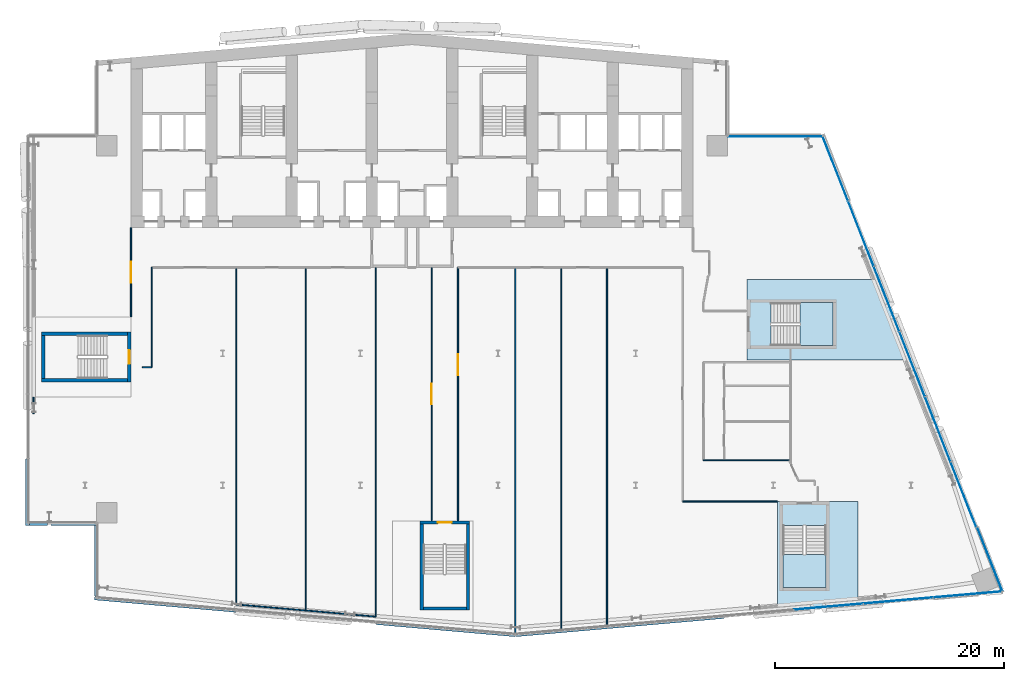
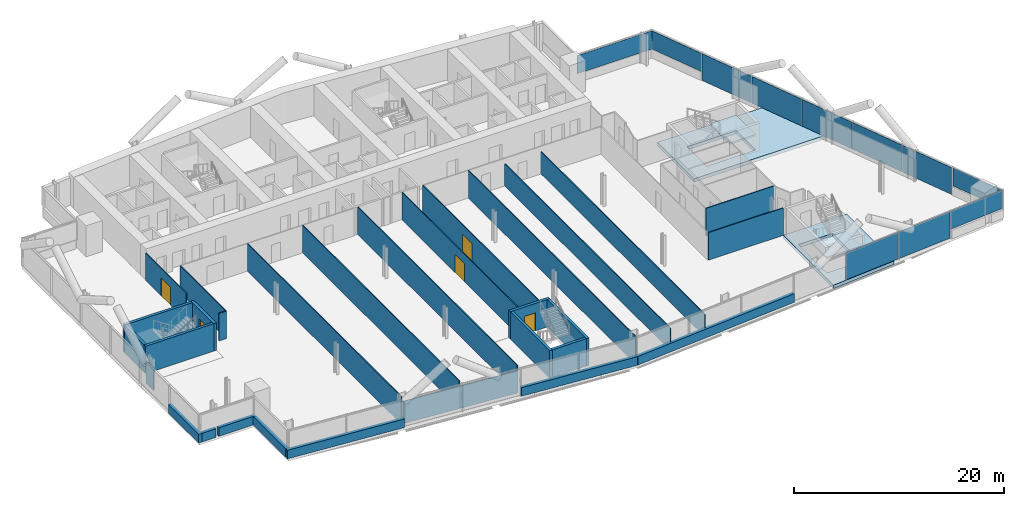
# One storey, part 13 of 25: 31 walls, 11 plates, 5 doors, 4 slabs, 5 openings, 5 elements without a shape of their own.
"""IFC4 building model written with IfcOpenShell, lengths in metres."""

from ifc_helpers import new_model, si_unit, direction, frame, frame_2d, origin, origin_2d, place, context, subcontext, project, spatial, polyline, rectangle, outline, extrude, material, layer, layer_set, type_object, element, fill, aggregate, save


model = new_model("IFC4")

# Units and contexts
model_context = context("Model", 3, precision=1e-05, world=origin(), true_north=direction((0.0, 1.0)))
body_context = subcontext(model_context, "Body", "Model", "MODEL_VIEW")
ifc_project = project(units=[si_unit("LENGTHUNIT", "METRE"), si_unit("AREAUNIT", "SQUARE_METRE"), si_unit("VOLUMEUNIT", "CUBIC_METRE"), si_unit("PLANEANGLEUNIT", "RADIAN"), si_unit("MASSUNIT", "GRAM", prefix="KILO")], contexts=[model_context])

# Site, building, storey
site_placement = place(None, origin())
site = spatial("IfcSite", under=ifc_project, at=site_placement, CompositionType="ELEMENT")
building_placement = place(site_placement, origin())
building = spatial("IfcBuilding", under=site, at=building_placement, Name="Wharfspan Tower", CompositionType="ELEMENT")
storey_placement = place(building_placement, frame((0.0, 0.0, 121.899902)))
storey = spatial("IfcBuildingStorey", under=building, at=storey_placement, Name="L28", CompositionType="ELEMENT", Elevation=121.899902)

# Curtain wall, plate
ifc_material_1 = material(Name="Aluminium 6063-T6", Category="aluminium")
curtain_wall_type_1 = type_object("IfcCurtainWallType", Name="CURTAIN WALL FACETED FRONT", PredefinedType="NOTDEFINED", material=ifc_material_1)
curtain_wall_1_placement = place(storey_placement, origin())
curtain_wall_1 = element("IfcCurtainWall", 1, at=curtain_wall_1_placement, inside=storey, type_object=curtain_wall_type_1, Name="Curtain wall S2", PredefinedType="NOTDEFINED")
ifc_material_2 = material(Name="Glass clear low-iron double glazing", Category="glass")
ifc_layer_1 = layer(ifc_material_2, 0.040039)
ifc_layer_set_1 = layer_set([ifc_layer_1], Name="Glass clear low-iron double glazing")
plate_type_1 = type_object("IfcPlateType", Name="GLASS PANEL FACETED FRONT 40", PredefinedType="CURTAIN_PANEL", material=ifc_layer_set_1)
plate_1_placement = place(storey_placement, frame((88.944092, 1.99292, 1.0), z_axis=(0.0, 0.0, 1.0), x_axis=(0.996198, 0.087156, 0.0)))
plate_1 = element("IfcPlate", 2, at=plate_1_placement, type_object=plate_type_1, Name="Curtain wall S2 panel 7", PredefinedType="CURTAIN_PANEL", context=body_context, shape_type="SweptSolid", body=[
    extrude(rectangle(XDim=6.004639, YDim=0.040039, at=origin_2d()), origin(), (0.0, 0.0, 1.0), 2.120117),
])

# Curtain wall, plates
curtain_wall_type_2 = type_object("IfcCurtainWallType", Name="CURTAIN WALL PROW AND END", PredefinedType="NOTDEFINED", material=ifc_material_1)
curtain_wall_2_placement = place(storey_placement, origin())
curtain_wall_2 = element("IfcCurtainWall", 3, at=curtain_wall_2_placement, inside=storey, type_object=curtain_wall_type_2, Name="Curtain wall E", PredefinedType="NOTDEFINED")
ifc_layer_2 = layer(ifc_material_2, 0.040039)
ifc_layer_set_2 = layer_set([ifc_layer_2], Name="Glass clear low-iron double glazing")
plate_type_2 = type_object("IfcPlateType", Name="GLASS PANEL PROW AND END 40", PredefinedType="CURTAIN_PANEL", material=ifc_layer_set_2)
plate_2_placement = place(storey_placement, frame((90.877197, 5.056885, 1.0), z_axis=(0.0, 0.0, 1.0), x_axis=(-0.365778, 0.930702, 0.0)))
plate_2 = element("IfcPlate", 4, at=plate_2_placement, type_object=plate_type_2, Name="Curtain wall E panel 1", PredefinedType="CURTAIN_PANEL", context=body_context, shape_type="SweptSolid", body=[
    extrude(rectangle(XDim=6.019043, YDim=0.040039, at=origin_2d()), origin(), (0.0, 0.0, 1.0), 2.120117),
])
plate_3_placement = place(storey_placement, frame((77.406494, 39.114014, 1.0), z_axis=(0.0, 0.0, 1.0), x_axis=(-0.365778, 0.930702, 0.0)))
plate_3 = element("IfcPlate", 5, at=plate_3_placement, type_object=plate_type_2, Name="Curtain wall E panel 7", PredefinedType="CURTAIN_PANEL", context=body_context, shape_type="SweptSolid", body=[
    extrude(rectangle(XDim=6.019043, YDim=0.040039, at=origin_2d()), origin(), (0.0, 0.0, 1.0), 2.120117),
])

# Curtain wall, plate
curtain_wall_3_placement = place(storey_placement, origin())
curtain_wall_3 = element("IfcCurtainWall", 6, at=curtain_wall_3_placement, inside=storey, type_object=curtain_wall_type_2, Name="Curtain wall NRE-H", PredefinedType="NOTDEFINED")
plate_4_placement = place(storey_placement, frame((72.178955, 41.919922, 1.0), z_axis=(0.0, 0.0, 1.0), x_axis=(-1.0, 0.0, 0.0)))
plate_4 = element("IfcPlate", 7, at=plate_4_placement, type_object=plate_type_2, Name="Curtain wall NRE-H panel 1", PredefinedType="CURTAIN_PANEL", context=body_context, shape_type="SweptSolid", body=[
    extrude(rectangle(XDim=8.238037, YDim=0.040039, at=origin_2d()), origin(), (0.0, 0.0, 1.0), 2.120117),
])
aggregate(curtain_wall_3, [plate_4])

# Plate
ifc_material_3 = material(Name="Aluminium composite opaque insulated panel", Category="aluminium")
ifc_layer_3 = layer(ifc_material_3, 0.040039)
ifc_layer_set_3 = layer_set([ifc_layer_3], Name="Aluminium composite opaque insulated panel")
plate_type_3 = type_object("IfcPlateType", Name="INFILL PANEL FACETED FRONT OPAQUE 40", PredefinedType="SHEET", material=ifc_layer_set_3)
plate_5_placement = place(storey_placement, frame((76.816162, 0.931885, 0.0), z_axis=(0.0, 0.0, 1.0), x_axis=(0.996198, 0.087156, 0.0)))
plate_5 = element("IfcPlate", 8, at=plate_5_placement, type_object=plate_type_3, Name="Curtain wall S2 panel 5", PredefinedType="SHEET", context=body_context, shape_type="SweptSolid", body=[
    extrude(rectangle(XDim=6.034668, YDim=0.040039, at=origin_2d()), origin(), (0.0, 0.0, 1.0), 3.120117),
])

plate_6_placement = place(storey_placement, frame((82.887695, 1.462891, 0.0), z_axis=(0.0, 0.0, 1.0), x_axis=(0.996198, 0.087156, 0.0)))
plate_6 = element("IfcPlate", 9, at=plate_6_placement, type_object=plate_type_3, Name="Curtain wall S2 panel 6", PredefinedType="SHEET", context=body_context, shape_type="SweptSolid", body=[
    extrude(rectangle(XDim=6.034668, YDim=0.040039, at=origin_2d()), origin(), (0.0, 0.0, 1.0), 3.120117),
])

aggregate(curtain_wall_1, [plate_5, plate_6, plate_1])

ifc_layer_4 = layer(ifc_material_3, 0.040039)
ifc_layer_set_4 = layer_set([ifc_layer_4], Name="Aluminium composite opaque insulated panel")
plate_type_4 = type_object("IfcPlateType", Name="INFILL PANEL PROW AND END OPAQUE 40", PredefinedType="SHEET", material=ifc_layer_set_4)
plate_7_placement = place(storey_placement, frame((88.57373, 10.699219, 0.0), z_axis=(0.0, 0.0, 1.0), x_axis=(-0.365778, 0.930702, 0.0)))
plate_7 = element("IfcPlate", 10, at=plate_7_placement, type_object=plate_type_4, Name="Curtain wall E panel 2", PredefinedType="SHEET", context=body_context, shape_type="SweptSolid", body=[
    extrude(rectangle(XDim=6.049072, YDim=0.040039, at=origin_2d()), origin(), (0.0, 0.0, 1.0), 3.120117),
])

plate_8_placement = place(storey_placement, frame((86.339111, 16.38501, 0.0), z_axis=(0.0, 0.0, 1.0), x_axis=(-0.365778, 0.930702, 0.0)))
plate_8 = element("IfcPlate", 11, at=plate_8_placement, type_object=plate_type_4, Name="Curtain wall E panel 3", PredefinedType="SHEET", context=body_context, shape_type="SweptSolid", body=[
    extrude(rectangle(XDim=6.049072, YDim=0.040039, at=origin_2d()), origin(), (0.0, 0.0, 1.0), 3.120117),
])

plate_9_placement = place(storey_placement, frame((84.104492, 22.070801, 0.0), z_axis=(0.0, 0.0, 1.0), x_axis=(-0.365778, 0.930702, 0.0)))
plate_9 = element("IfcPlate", 12, at=plate_9_placement, type_object=plate_type_4, Name="Curtain wall E panel 4", PredefinedType="SHEET", context=body_context, shape_type="SweptSolid", body=[
    extrude(rectangle(XDim=6.049072, YDim=0.040039, at=origin_2d()), origin(), (0.0, 0.0, 1.0), 3.120117),
])

plate_10_placement = place(storey_placement, frame((81.870117, 27.756348, 0.0), z_axis=(0.0, 0.0, 1.0), x_axis=(-0.365778, 0.930702, 0.0)))
plate_10 = element("IfcPlate", 13, at=plate_10_placement, type_object=plate_type_4, Name="Curtain wall E panel 5", PredefinedType="SHEET", context=body_context, shape_type="SweptSolid", body=[
    extrude(rectangle(XDim=6.049072, YDim=0.040039, at=origin_2d()), origin(), (0.0, 0.0, 1.0), 3.120117),
])

plate_11_placement = place(storey_placement, frame((79.635498, 33.442139, 0.0), z_axis=(0.0, 0.0, 1.0), x_axis=(-0.365778, 0.930702, 0.0)))
plate_11 = element("IfcPlate", 14, at=plate_11_placement, type_object=plate_type_4, Name="Curtain wall E panel 6", PredefinedType="SHEET", context=body_context, shape_type="SweptSolid", body=[
    extrude(rectangle(XDim=6.049072, YDim=0.040039, at=origin_2d()), origin(), (0.0, 0.0, 1.0), 3.120117),
])

aggregate(curtain_wall_2, [plate_2, plate_7, plate_8, plate_9, plate_10, plate_11, plate_3])

# Slabs
ifc_material_4 = material(Name="Concrete C40/50", Category="concrete")
ifc_layer_5 = layer(ifc_material_4, 0.399902)
ifc_layer_set_5 = layer_set([ifc_layer_5], Name="Concrete C40/50")
slab_type_1 = type_object("IfcSlabType", Name="Post-tensioned flat slab 400", PredefinedType="FLOOR", material=ifc_layer_set_5)
slab_1_placement = place(storey_placement, frame((0.0, 0.0, -0.400146)))
element("IfcSlab", 15, at=slab_1_placement, inside=storey, type_object=slab_type_1, Name="Core floor slab L28 part 5", PredefinedType="FLOOR", context=body_context, shape_type="SweptSolid", body=[
    extrude(outline(polyline([(79.365967, 10.094727), (76.891113, 10.094727), (72.541016, 10.094727), (72.365967, 10.094727), (72.365967, 0.482178), (79.365967, 1.094727), (79.365967, 10.094727)]), holes=[polyline([(76.591064, 7.996582), (76.591309, 7.996582), (76.591309, 7.996582), (76.591553, 7.996582), (76.591797, 7.996582), (76.591797, 7.996338), (76.592041, 7.996338), (76.592285, 7.996094), (76.592285, 7.996094), (76.592529, 7.99585), (76.592773, 7.99585), (76.592773, 7.995605), (76.593018, 7.995361), (76.593018, 7.995117), (76.593018, 7.995117), (76.593018, 7.994873), (76.593018, 7.994629), (76.593018, 2.594727), (76.593018, 2.594482), (76.593018, 2.594238), (76.593018, 2.593994), (76.593018, 2.593994), (76.592773, 2.59375), (76.592773, 2.593506), (76.592529, 2.593506), (76.592285, 2.593262), (76.592285, 2.593018), (76.592041, 2.593018), (76.591797, 2.593018), (76.591797, 2.592773), (76.591553, 2.592773), (76.591309, 2.592773), (76.591309, 2.592773), (76.591064, 2.592773), (72.841064, 2.592773), (72.84082, 2.592773), (72.840576, 2.592773), (72.840332, 2.592773), (72.840088, 2.592773), (72.840088, 2.593018), (72.839844, 2.593018), (72.8396, 2.593018), (72.8396, 2.593262), (72.8396, 2.593506), (72.839355, 2.593506), (72.839111, 2.59375), (72.839111, 2.593994), (72.839111, 2.593994), (72.839111, 2.594238), (72.839111, 2.594482), (72.839111, 2.594727), (72.839111, 7.994629), (72.839111, 7.994873), (72.839111, 7.995117), (72.839111, 7.995117), (72.839111, 7.995361), (72.839111, 7.995605), (72.839355, 7.99585), (72.8396, 7.99585), (72.8396, 7.996094), (72.8396, 7.996094), (72.839844, 7.996338), (72.840088, 7.996338), (72.840088, 7.996582), (72.840332, 7.996582), (72.840576, 7.996582), (72.84082, 7.996582), (72.841064, 7.996582), (76.591064, 7.996582)])]), origin(), (0.0, 0.0, 1.0), 0.400146),
])
slab_2_placement = place(storey_placement, frame((0.0, 0.0, -0.400146)))
element("IfcSlab", 16, at=slab_2_placement, inside=storey, type_object=slab_type_1, Name="Core floor slab L28 part 6", PredefinedType="FLOOR", context=body_context, shape_type="SweptSolid", body=[
    extrude(outline(polyline([(81.290283, 29.449951), (69.69043, 29.449951), (69.69043, 27.725098), (69.69043, 23.375), (69.69043, 22.449951), (84.041504, 22.449951), (81.290283, 29.449951)]), holes=[polyline([(71.790283, 23.673096), (71.790283, 23.673096), (71.790039, 23.673096), (71.789795, 23.673096), (71.789551, 23.673096), (71.789551, 23.673096), (71.789307, 23.67334), (71.789062, 23.673584), (71.789062, 23.673584), (71.788818, 23.673584), (71.788818, 23.673828), (71.788574, 23.674072), (71.788574, 23.674316), (71.788574, 23.674316), (71.78833, 23.674561), (71.78833, 23.674805), (71.78833, 23.675049), (71.78833, 27.425049), (71.78833, 27.425293), (71.78833, 27.425293), (71.788574, 27.425537), (71.788574, 27.425781), (71.788574, 27.425781), (71.788818, 27.426025), (71.788818, 27.42627), (71.789062, 27.426514), (71.789062, 27.426514), (71.789307, 27.426758), (71.789551, 27.426758), (71.789551, 27.426758), (71.789795, 27.427002), (71.790039, 27.427002), (71.790283, 27.427002), (71.790283, 27.427002), (77.19043, 27.427002), (77.190674, 27.427002), (77.190918, 27.427002), (77.190918, 27.427002), (77.191162, 27.426758), (77.191406, 27.426758), (77.191406, 27.426758), (77.19165, 27.426514), (77.191895, 27.426514), (77.191895, 27.42627), (77.192139, 27.426025), (77.192139, 27.425781), (77.192139, 27.425781), (77.192383, 27.425537), (77.192383, 27.425293), (77.192383, 27.425293), (77.192383, 27.425049), (77.192383, 23.675049), (77.192383, 23.674805), (77.192383, 23.674561), (77.192383, 23.674316), (77.192139, 23.674316), (77.192139, 23.674072), (77.192139, 23.673828), (77.191895, 23.673584), (77.191895, 23.673584), (77.19165, 23.673584), (77.191406, 23.67334), (77.191406, 23.673096), (77.191162, 23.673096), (77.190918, 23.673096), (77.190918, 23.673096), (77.190674, 23.673096), (77.19043, 23.673096), (71.790283, 23.673096)])]), origin(), (0.0, 0.0, 1.0), 0.400146),
])

# Stair, slab
stair_type = type_object("IfcStairType", Name="Half-turn stair 20 risers 180 mm", PredefinedType="HALF_TURN_STAIR", material=ifc_material_4)
stair_1_placement = place(storey_placement, origin())
stair_1 = element("IfcStair", 17, at=stair_1_placement, inside=storey, type_object=stair_type, Name="L28 stair ST5", PredefinedType="HALF_TURN_STAIR")
ifc_layer_6 = layer(ifc_material_4, 0.199951)
ifc_layer_set_6 = layer_set([ifc_layer_6], Name="Concrete C40/50")
slab_type_2 = type_object("IfcSlabType", Name="Stair landing 200", PredefinedType="LANDING", material=ifc_layer_set_6)
slab_3_placement = place(storey_placement, frame((0.0, 0.0, 1.599854)))
slab_3 = element("IfcSlab", 18, at=slab_3_placement, type_object=slab_type_2, Name="ST5 landing 1", PredefinedType="LANDING", context=body_context, shape_type="SweptSolid", body=[
    extrude(outline(polyline([(72.841064, 5.474609), (72.841064, 2.594727), (76.591064, 2.594727), (76.591064, 5.474609), (72.841064, 5.474609)])), origin(), (0.0, 0.0, 1.0), 0.200195),
])
aggregate(stair_1, [slab_3])

stair_2_placement = place(storey_placement, origin())
stair_2 = element("IfcStair", 19, at=stair_2_placement, inside=storey, type_object=stair_type, Name="L28 stair ST6", PredefinedType="HALF_TURN_STAIR")
slab_4_placement = place(storey_placement, frame((0.0, 0.0, 1.599854)))
slab_4 = element("IfcSlab", 20, at=slab_4_placement, type_object=slab_type_2, Name="ST6 landing 1", PredefinedType="LANDING", context=body_context, shape_type="SweptSolid", body=[
    extrude(outline(polyline([(74.310303, 23.675049), (77.19043, 23.675049), (77.19043, 27.425049), (74.310303, 27.425049), (74.310303, 23.675049)])), origin(), (0.0, 0.0, 1.0), 0.200195),
])
aggregate(stair_2, [slab_4])

# Wall, opening, door
ifc_material_5 = material(Name="Gypsum board on steel studs", Category="steel")
ifc_layer_7 = layer(ifc_material_5, 0.100098)
ifc_layer_set_7 = layer_set([ifc_layer_7], Name="Gypsum board on steel studs")
wall_type_1 = type_object("IfcWallType", Name="Compartment wall 100 EI 60", PredefinedType="PARTITIONING", material=ifc_layer_set_7)
wall_1_placement = place(storey_placement, frame((16.0, 26.219971, 0.0), z_axis=(0.0, 0.0, 1.0), x_axis=(0.0, 1.0, 0.0)))
wall_1 = element("IfcWall", 21, at=wall_1_placement, inside=storey, type_object=wall_type_1, Name="Partition L28.w003", PredefinedType="PARTITIONING", context=body_context, shape_type="SweptSolid", body=[
    extrude(rectangle(XDim=7.76001, YDim=0.100098, at=frame_2d((3.879883, 0.0))), origin(), (0.0, 0.0, 1.0), 3.200195),
])
opening_1_placement = place(wall_1_placement, frame((2.959961, 0.0, 0.0)))
opening_1 = element("IfcOpeningElement", 22, at=opening_1_placement, cuts=wall_1, Name="Opening B4-09", PredefinedType="OPENING", context=body_context, shape_type="SweptSolid", body=[
    extrude(rectangle(XDim=1.800049, YDim=2.100098, at=frame_2d((0.899902, 1.050049))), frame((0.0, 0.060059, 0.0), z_axis=(0.0, -1.0, 0.0), x_axis=(1.0, 0.0, 0.0)), (0.0, 0.0, 1.0), 0.120117),
])
ifc_material_6 = material(Name="Fire-rated timber door leaf in steel frame", Category="steel")
door_type_1 = type_object("IfcDoorType", Name="Door 1800 FD30S Double", OperationType="DOUBLE_DOOR_SINGLE_SWING", PredefinedType="DOOR", material=ifc_material_6)
door_1_placement = place(opening_1_placement, origin())
door_1 = element("IfcDoor", 23, at=door_1_placement, inside=storey, type_object=door_type_1, Name="Door B4-09", OperationType="DOUBLE_DOOR_SINGLE_SWING", OverallHeight=2.100098, OverallWidth=1.800049, PredefinedType="DOOR", context=body_context, shape_type="SweptSolid", body=[
    extrude(rectangle(XDim=1.800049, YDim=2.100098, at=frame_2d((0.899902, 1.050049))), frame((0.0, 0.024902, 0.0), z_axis=(0.0, -1.0, 0.0), x_axis=(1.0, 0.0, 0.0)), (0.0, 0.0, 1.0), 0.050049),
])
fill(opening_1, door_1)

# Walls
wall_2_placement = place(storey_placement, frame((17.0, 21.800049, 0.0), z_axis=(0.0, 0.0, 1.0), x_axis=(1.0, 0.0, 0.0)))
element("IfcWall", 24, at=wall_2_placement, inside=storey, type_object=wall_type_1, Name="Partition L28.w004", PredefinedType="PARTITIONING", context=body_context, shape_type="SweptSolid", body=[
    extrude(rectangle(XDim=0.800049, YDim=0.100098, at=frame_2d((0.399902, 0.0))), origin(), (0.0, 0.0, 1.0), 3.200195),
])
wall_3_placement = place(storey_placement, frame((17.800049, 21.800049, 0.0), z_axis=(0.0, 0.0, 1.0), x_axis=(0.0, 1.0, 0.0)))
element("IfcWall", 25, at=wall_3_placement, inside=storey, type_object=wall_type_1, Name="Partition L28.w005", PredefinedType="PARTITIONING", context=body_context, shape_type="SweptSolid", body=[
    extrude(rectangle(XDim=8.699951, YDim=0.100098, at=frame_2d((4.350098, 0.0))), origin(), (0.0, 0.0, 1.0), 3.200195),
])
wall_4_placement = place(storey_placement, frame((25.169922, 1.120117, 0.0), z_axis=(0.0, 0.0, 1.0), x_axis=(0.0, 1.0, 0.0)))
element("IfcWall", 26, at=wall_4_placement, inside=storey, type_object=wall_type_1, Name="Partition L28.w007", PredefinedType="PARTITIONING", context=body_context, shape_type="SweptSolid", body=[
    extrude(rectangle(XDim=29.379883, YDim=0.100098, at=frame_2d((14.689941, 0.0))), origin(), (0.0, 0.0, 1.0), 3.200195),
])
wall_5_placement = place(storey_placement, frame((31.25, 0.590088, 0.0), z_axis=(0.0, 0.0, 1.0), x_axis=(0.0, 1.0, 0.0)))
element("IfcWall", 27, at=wall_5_placement, inside=storey, type_object=wall_type_1, Name="Partition L28.w009", PredefinedType="PARTITIONING", context=body_context, shape_type="SweptSolid", body=[
    extrude(rectangle(XDim=29.909912, YDim=0.100098, at=frame_2d((14.955078, 0.0))), origin(), (0.0, 0.0, 1.0), 3.200195),
])
wall_6_placement = place(storey_placement, frame((37.334961, 0.054932, 0.0), z_axis=(0.0, 0.0, 1.0), x_axis=(0.0, 1.0, 0.0)))
element("IfcWall", 28, at=wall_6_placement, inside=storey, type_object=wall_type_1, Name="Partition L28.w011", PredefinedType="PARTITIONING", context=body_context, shape_type="SweptSolid", body=[
    extrude(rectangle(XDim=30.445068, YDim=0.100098, at=frame_2d((15.222656, 0.0))), origin(), (0.0, 0.0, 1.0), 3.200195),
])

# Wall, opening, door
wall_7_placement = place(storey_placement, frame((42.209961, 8.437012, 0.0), z_axis=(0.0, 0.0, 1.0), x_axis=(0.0, 1.0, 0.0)))
wall_7 = element("IfcWall", 29, at=wall_7_placement, inside=storey, type_object=wall_type_1, Name="Partition L28.w012", PredefinedType="PARTITIONING", context=body_context, shape_type="SweptSolid", body=[
    extrude(rectangle(XDim=22.062988, YDim=0.100098, at=frame_2d((11.031494, 0.0))), origin(), (0.0, 0.0, 1.0), 3.200195),
])
opening_2_placement = place(wall_7_placement, frame((10.143066, 0.0, 0.0)))
opening_2 = element("IfcOpeningElement", 30, at=opening_2_placement, cuts=wall_7, Name="Opening B4-05", PredefinedType="OPENING", context=body_context, shape_type="SweptSolid", body=[
    extrude(rectangle(XDim=1.800049, YDim=2.100098, at=frame_2d((0.899902, 1.050049))), frame((0.0, 0.060059, 0.0), z_axis=(0.0, -1.0, 0.0), x_axis=(1.0, 0.0, 0.0)), (0.0, 0.0, 1.0), 0.120117),
])
door_2_placement = place(opening_2_placement, origin())
door_2 = element("IfcDoor", 31, at=door_2_placement, inside=storey, type_object=door_type_1, Name="Door B4-05", OperationType="DOUBLE_DOOR_SINGLE_SWING", OverallHeight=2.100098, OverallWidth=1.800049, PredefinedType="DOOR", context=body_context, shape_type="SweptSolid", body=[
    extrude(rectangle(XDim=1.800049, YDim=2.100098, at=frame_2d((0.899902, 1.050049))), frame((0.0, 0.024902, 0.0), z_axis=(0.0, -1.0, 0.0), x_axis=(1.0, 0.0, 0.0)), (0.0, 0.0, 1.0), 0.050049),
])
fill(opening_2, door_2)

wall_8_placement = place(storey_placement, frame((44.51001, 8.437012, 0.0), z_axis=(0.0, 0.0, 1.0), x_axis=(0.0, 1.0, 0.0)))
wall_8 = element("IfcWall", 32, at=wall_8_placement, inside=storey, type_object=wall_type_1, Name="Partition L28.w013", PredefinedType="PARTITIONING", context=body_context, shape_type="SweptSolid", body=[
    extrude(rectangle(XDim=22.062988, YDim=0.100098, at=frame_2d((11.031494, 0.0))), origin(), (0.0, 0.0, 1.0), 3.200195),
])
opening_3_placement = place(wall_8_placement, frame((12.683105, 0.0, 0.0)))
opening_3 = element("IfcOpeningElement", 33, at=opening_3_placement, cuts=wall_8, Name="Opening B4-08", PredefinedType="OPENING", context=body_context, shape_type="SweptSolid", body=[
    extrude(rectangle(XDim=1.800049, YDim=2.100098, at=frame_2d((0.899902, 1.050049))), frame((0.0, 0.060059, 0.0), z_axis=(0.0, -1.0, 0.0), x_axis=(1.0, 0.0, 0.0)), (0.0, 0.0, 1.0), 0.120117),
])
door_3_placement = place(opening_3_placement, origin())
door_3 = element("IfcDoor", 34, at=door_3_placement, inside=storey, type_object=door_type_1, Name="Door B4-08", OperationType="DOUBLE_DOOR_SINGLE_SWING", OverallHeight=2.100098, OverallWidth=1.800049, PredefinedType="DOOR", context=body_context, shape_type="SweptSolid", body=[
    extrude(rectangle(XDim=1.800049, YDim=2.100098, at=frame_2d((0.899902, 1.050049))), frame((0.0, 0.024902, 0.0), z_axis=(0.0, -1.0, 0.0), x_axis=(1.0, 0.0, 0.0)), (0.0, 0.0, 1.0), 0.050049),
])
fill(opening_3, door_3)

# Walls
wall_9_placement = place(storey_placement, frame((49.5, -1.498291, 0.0), z_axis=(0.0, 0.0, 1.0), x_axis=(0.0, 1.0, 0.0)))
element("IfcWall", 35, at=wall_9_placement, inside=storey, type_object=wall_type_1, Name="Partition L28.w015", PredefinedType="PARTITIONING", context=body_context, shape_type="SweptSolid", body=[
    extrude(rectangle(XDim=31.998291, YDim=0.100098, at=frame_2d((15.999023, 0.0))), origin(), (0.0, 0.0, 1.0), 3.200195),
])
wall_10_placement = place(storey_placement, frame((53.5, -1.148193, 0.0), z_axis=(0.0, 0.0, 1.0), x_axis=(0.0, 1.0, 0.0)))
element("IfcWall", 36, at=wall_10_placement, inside=storey, type_object=wall_type_1, Name="Partition L28.w016", PredefinedType="PARTITIONING", context=body_context, shape_type="SweptSolid", body=[
    extrude(rectangle(XDim=31.648193, YDim=0.100098, at=frame_2d((15.824219, 0.0))), origin(), (0.0, 0.0, 1.0), 2.580078),
])
wall_11_placement = place(storey_placement, frame((57.5, -0.79834, 0.0), z_axis=(0.0, 0.0, 1.0), x_axis=(0.0, 1.0, 0.0)))
element("IfcWall", 37, at=wall_11_placement, inside=storey, type_object=wall_type_1, Name="Partition L28.w017", PredefinedType="PARTITIONING", context=body_context, shape_type="SweptSolid", body=[
    extrude(rectangle(XDim=31.29834, YDim=0.100098, at=frame_2d((15.64917, 0.0))), origin(), (0.0, 0.0, 1.0), 2.580078),
])
wall_12_placement = place(storey_placement, frame((64.100098, 10.094971, 0.0), z_axis=(0.0, 0.0, 1.0), x_axis=(1.0, 0.0, 0.0)))
element("IfcWall", 38, at=wall_12_placement, inside=storey, type_object=wall_type_1, Name="Partition L28.w019", PredefinedType="PARTITIONING", context=body_context, shape_type="SweptSolid", body=[
    extrude(rectangle(XDim=8.24585, YDim=0.100098, at=frame_2d((4.123047, 0.0))), origin(), (0.0, 0.0, 1.0), 3.200195),
])
wall_13_placement = place(storey_placement, frame((65.909912, 13.705078, 0.0), z_axis=(0.0, 0.0, 1.0), x_axis=(1.0, 0.0, 0.0)))
element("IfcWall", 39, at=wall_13_placement, inside=storey, type_object=wall_type_1, Name="Partition L28.w026", PredefinedType="PARTITIONING", context=body_context, shape_type="SweptSolid", body=[
    extrude(rectangle(XDim=7.48999, YDim=0.100098, at=frame_2d((3.745117, 0.0))), origin(), (0.0, 0.0, 1.0), 3.200195),
])
ifc_layer_8 = layer(ifc_material_5, 0.100098)
ifc_layer_set_8 = layer_set([ifc_layer_8], Name="Gypsum board on steel studs")
wall_type_2 = type_object("IfcWallType", Name="Partition 100", PredefinedType="PARTITIONING", material=ifc_layer_set_8)
wall_14_placement = place(storey_placement, frame((7.51001, 17.764893, 0.0), z_axis=(0.0, 0.0, 1.0), x_axis=(0.0, 1.0, 0.0)))
element("IfcWall", 40, at=wall_14_placement, inside=storey, type_object=wall_type_2, Name="Partition L28.w001", PredefinedType="PARTITIONING", context=body_context, shape_type="SweptSolid", body=[
    extrude(rectangle(XDim=1.415039, YDim=0.100098, at=frame_2d((0.70752, 0.0))), origin(), (0.0, 0.0, 1.0), 2.580078),
])
wall_15_placement = place(storey_placement, frame((31.25, 0.590088, 0.0), z_axis=(0.0, 0.0, 1.0), x_axis=(-0.996218, 0.086845, 0.0)))
element("IfcWall", 41, at=wall_15_placement, inside=storey, type_object=wall_type_2, Name="Partition L28.w008", PredefinedType="PARTITIONING", context=body_context, shape_type="SweptSolid", body=[
    extrude(rectangle(XDim=6.103027, YDim=0.100098, at=frame_2d((3.051514, 0.0))), origin(), (0.0, 0.0, 1.0), 2.580078),
])
wall_16_placement = place(storey_placement, frame((37.334961, 0.054932, 0.0), z_axis=(0.0, 0.0, 1.0), x_axis=(-0.996095, 0.088253, 0.0)))
element("IfcWall", 42, at=wall_16_placement, inside=storey, type_object=wall_type_2, Name="Partition L28.w010", PredefinedType="PARTITIONING", context=body_context, shape_type="SweptSolid", body=[
    extrude(rectangle(XDim=6.105469, YDim=0.100098, at=frame_2d((3.052734, 0.0))), origin(), (0.0, 0.0, 1.0), 2.580078),
])
ifc_layer_9 = layer(ifc_material_4, 0.350098)
ifc_layer_set_9 = layer_set([ifc_layer_9], Name="Concrete C40/50")
wall_type_3 = type_object("IfcWallType", Name="SPANDREL EXPOSED CONCRETE 350", PredefinedType="SOLIDWALL", material=ifc_layer_set_9)
wall_17_placement = place(storey_placement, frame((12.835205, 1.68457, 0.0), z_axis=(0.0, 0.0, 1.0), x_axis=(0.996192, -0.087173, 0.0)))
element("IfcWall", 43, at=wall_17_placement, inside=storey, type_object=wall_type_3, Name="Spandrel upstand L28 S1 1", PredefinedType="SOLIDWALL", context=body_context, shape_type="SweptSolid", body=[
    extrude(rectangle(XDim=12.348145, YDim=0.350098, at=frame_2d((6.174072, 0.0))), origin(), (0.0, 0.0, 1.0), 1.0),
])
wall_18_placement = place(storey_placement, frame((37.362793, -0.461426, 0.0), z_axis=(0.0, 0.0, 1.0), x_axis=(0.996194, -0.087159, 0.0)))
element("IfcWall", 44, at=wall_18_placement, inside=storey, type_object=wall_type_3, Name="Spandrel upstand L28 S1 2", PredefinedType="SOLIDWALL", context=body_context, shape_type="SweptSolid", body=[
    extrude(rectangle(XDim=12.19873, YDim=0.350098, at=frame_2d((6.099365, 0.0))), origin(), (0.0, 0.0, 1.0), 1.0),
])
wall_19_placement = place(storey_placement, frame((49.54541, -1.519287, 0.0), z_axis=(0.0, 0.0, 1.0), x_axis=(0.996191, 0.087151, 0.0)))
element("IfcWall", 45, at=wall_19_placement, inside=storey, type_object=wall_type_3, Name="Spandrel upstand L28 S2 1", PredefinedType="SOLIDWALL", context=body_context, shape_type="SweptSolid", body=[
    extrude(rectangle(XDim=18.20874, YDim=0.350098, at=frame_2d((9.104492, 0.0))), origin(), (0.0, 0.0, 1.0), 1.0),
])
wall_20_placement = place(storey_placement, frame((6.995117, 13.803223, 0.0), z_axis=(0.0, 0.0, 1.0), x_axis=(0.0, -1.0, 0.0)))
element("IfcWall", 46, at=wall_20_placement, inside=storey, type_object=wall_type_3, Name="Spandrel upstand L28 W", PredefinedType="SOLIDWALL", context=body_context, shape_type="SweptSolid", body=[
    extrude(rectangle(XDim=5.783203, YDim=0.350098, at=frame_2d((2.891602, 0.0))), origin(), (0.0, 0.0, 1.0), 1.0),
])
wall_21_placement = place(storey_placement, frame((7.169922, 8.195068, 0.0), z_axis=(0.0, 0.0, 1.0), x_axis=(1.0, 0.0, 0.0)))
element("IfcWall", 47, at=wall_21_placement, inside=storey, type_object=wall_type_3, Name="Spandrel upstand L28 NFW-H", PredefinedType="SOLIDWALL", context=body_context, shape_type="SweptSolid", body=[
    extrude(rectangle(XDim=1.563232, YDim=0.350098, at=frame_2d((0.781738, 0.0))), origin(), (0.0, 0.0, 1.0), 1.0),
])
wall_22_placement = place(storey_placement, frame((9.036133, 8.195068, 0.0), z_axis=(0.0, 0.0, 1.0), x_axis=(1.0, 0.0, 0.0)))
element("IfcWall", 48, at=wall_22_placement, inside=storey, type_object=wall_type_3, Name="Spandrel upstand L28 NFW-H 2", PredefinedType="SOLIDWALL", context=body_context, shape_type="SweptSolid", body=[
    extrude(rectangle(XDim=3.963867, YDim=0.350098, at=frame_2d((1.981934, 0.0))), origin(), (0.0, 0.0, 1.0), 1.0),
])
wall_23_placement = place(storey_placement, frame((12.995117, 8.02002, 0.0), z_axis=(0.0, 0.0, 1.0), x_axis=(0.0, -1.0, 0.0)))
element("IfcWall", 49, at=wall_23_placement, inside=storey, type_object=wall_type_3, Name="Spandrel upstand L28 NFW-V", PredefinedType="SOLIDWALL", context=body_context, shape_type="SweptSolid", body=[
    extrude(rectangle(XDim=6.161133, YDim=0.350098, at=frame_2d((3.080566, 0.0))), origin(), (0.0, 0.0, 1.0), 1.0),
])

# Wall, opening, door
ifc_layer_10 = layer(ifc_material_4, 0.300049)
ifc_layer_set_10 = layer_set([ifc_layer_10], Name="Concrete C40/50")
wall_type_4 = type_object("IfcWallType", Name="Stair core wall 300", PredefinedType="SHEAR", material=ifc_layer_set_10)
wall_24_placement = place(storey_placement, frame((15.850098, 20.524902, 0.0), z_axis=(0.0, 0.0, 1.0), x_axis=(0.0, 1.0, 0.0)))
wall_24 = element("IfcWall", 50, at=wall_24_placement, inside=storey, type_object=wall_type_4, Name="ST3 stair enclosure wall L28", PredefinedType="SHEAR", context=body_context, shape_type="SweptSolid", body=[
    extrude(rectangle(XDim=4.350098, YDim=0.300049, at=frame_2d((2.175049, 0.0))), origin(), (0.0, 0.0, 1.0), 3.200195),
])
opening_4_placement = place(wall_24_placement, frame((1.574951, 0.0, 0.0)))
opening_4 = element("IfcOpeningElement", 51, at=opening_4_placement, cuts=wall_24, Name="Opening SD3.L28", PredefinedType="OPENING", context=body_context, shape_type="SweptSolid", body=[
    extrude(rectangle(XDim=1.199951, YDim=2.100098, at=frame_2d((0.600098, 1.050049))), frame((0.0, 0.159912, 0.0), z_axis=(0.0, -1.0, 0.0), x_axis=(1.0, 0.0, 0.0)), (0.0, 0.0, 1.0), 0.320068),
])
ifc_material_7 = material(Name="Steel door leaf", Category="steel")
door_type_2 = type_object("IfcDoorType", Name="Stair door 1200x2100", OperationType="SINGLE_SWING_LEFT", PredefinedType="DOOR", material=ifc_material_7)
door_4_placement = place(opening_4_placement, origin())
door_4 = element("IfcDoor", 52, at=door_4_placement, inside=storey, type_object=door_type_2, Name="sd:L28:ST3z2", OperationType="SINGLE_SWING_RIGHT", OverallHeight=2.100098, OverallWidth=1.199951, PredefinedType="DOOR", context=body_context, shape_type="SweptSolid", body=[
    extrude(rectangle(XDim=1.199951, YDim=2.100098, at=frame_2d((0.600098, 1.050049))), frame((0.0, 0.024902, 0.0), z_axis=(0.0, -1.0, 0.0), x_axis=(1.0, 0.0, 0.0)), (0.0, 0.0, 1.0), 0.050049),
])
fill(opening_4, door_4)

wall_25_placement = place(storey_placement, frame((41.185303, 8.26709, 0.0), z_axis=(0.0, 0.0, 1.0), x_axis=(1.0, 0.0, 0.0)))
wall_25 = element("IfcWall", 53, at=wall_25_placement, inside=storey, type_object=wall_type_4, Name="ST4 stair enclosure wall L28", PredefinedType="SHEAR", context=body_context, shape_type="SweptSolid", body=[
    extrude(rectangle(XDim=4.350098, YDim=0.300049, at=frame_2d((2.175049, 0.0))), origin(), (0.0, 0.0, 1.0), 3.200195),
])
opening_5_placement = place(wall_25_placement, frame((1.574951, 0.0, 0.0)))
opening_5 = element("IfcOpeningElement", 54, at=opening_5_placement, cuts=wall_25, Name="Opening SD4.L28", PredefinedType="OPENING", context=body_context, shape_type="SweptSolid", body=[
    extrude(rectangle(XDim=1.199951, YDim=2.100098, at=frame_2d((0.600098, 1.050049))), frame((0.0, 0.159912, 0.0), z_axis=(0.0, -1.0, 0.0), x_axis=(1.0, 0.0, 0.0)), (0.0, 0.0, 1.0), 0.320068),
])
door_5_placement = place(opening_5_placement, origin())
door_5 = element("IfcDoor", 55, at=door_5_placement, inside=storey, type_object=door_type_2, Name="sd:L28:ST4z2", OperationType="SINGLE_SWING_RIGHT", OverallHeight=2.100098, OverallWidth=1.199951, PredefinedType="DOOR", context=body_context, shape_type="SweptSolid", body=[
    extrude(rectangle(XDim=1.199951, YDim=2.100098, at=frame_2d((0.600098, 1.050049))), frame((0.0, 0.024902, 0.0), z_axis=(0.0, -1.0, 0.0), x_axis=(1.0, 0.0, 0.0)), (0.0, 0.0, 1.0), 0.050049),
])
fill(opening_5, door_5)

# Walls
for number, where, z_axis, x_axis, name in (
    (56, (8.199951, 20.675049, 0.0), (0.0, 0.0, 1.0), (1.0, 0.0, 0.0), "ST3 stair enclosure wall L28"),
    (57, (8.199951, 24.725098, 0.0), (0.0, 0.0, 1.0), (1.0, 0.0, 0.0), "ST3 stair enclosure wall L28"),
):
    element("IfcWall", number, at=place(storey_placement, frame(where, z_axis=z_axis, x_axis=x_axis)), inside=storey, type_object=wall_type_4, Name=name, PredefinedType="SHEAR", context=body_context, shape_type="SweptSolid", body=[
        extrude(rectangle(XDim=7.5, YDim=0.300049, at=frame_2d((3.75, 0.0))), origin(), (0.0, 0.0, 1.0), 3.200195),
    ])
wall_26_placement = place(storey_placement, frame((8.350098, 20.824951, 0.0), z_axis=(0.0, 0.0, 1.0), x_axis=(0.0, 1.0, 0.0)))
element("IfcWall", 58, at=wall_26_placement, inside=storey, type_object=wall_type_4, Name="ST3 stair enclosure wall L28", PredefinedType="SHEAR", context=body_context, shape_type="SweptSolid", body=[
    extrude(rectangle(XDim=3.75, YDim=0.300049, at=frame_2d((1.875, 0.0))), origin(), (0.0, 0.0, 1.0), 3.200195),
])
for number, where, z_axis, x_axis, name in (
    (59, (41.335205, 0.616943, 0.0), (0.0, 0.0, 1.0), (0.0, 1.0, 0.0), "ST4 stair enclosure wall L28"),
    (60, (45.385254, 0.616943, 0.0), (0.0, 0.0, 1.0), (0.0, 1.0, 0.0), "ST4 stair enclosure wall L28"),
):
    element("IfcWall", number, at=place(storey_placement, frame(where, z_axis=z_axis, x_axis=x_axis)), inside=storey, type_object=wall_type_4, Name=name, PredefinedType="SHEAR", context=body_context, shape_type="SweptSolid", body=[
        extrude(rectangle(XDim=7.5, YDim=0.300049, at=frame_2d((3.75, 0.0))), origin(), (0.0, 0.0, 1.0), 3.200195),
    ])
wall_27_placement = place(storey_placement, frame((41.485352, 0.76709, 0.0), z_axis=(0.0, 0.0, 1.0), x_axis=(1.0, 0.0, 0.0)))
element("IfcWall", 61, at=wall_27_placement, inside=storey, type_object=wall_type_4, Name="ST4 stair enclosure wall L28", PredefinedType="SHEAR", context=body_context, shape_type="SweptSolid", body=[
    extrude(rectangle(XDim=3.75, YDim=0.300049, at=frame_2d((1.875, 0.0))), origin(), (0.0, 0.0, 1.0), 3.200195),
])

save(model, "model.ifc")
